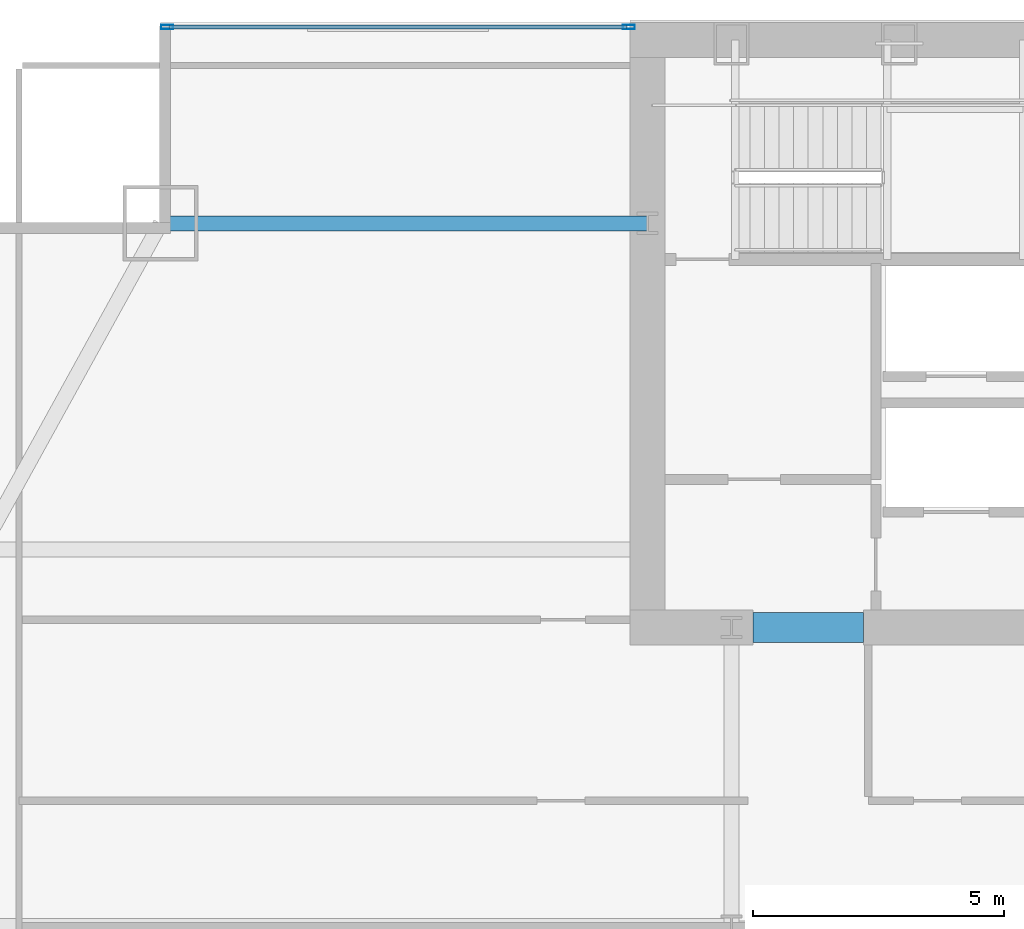
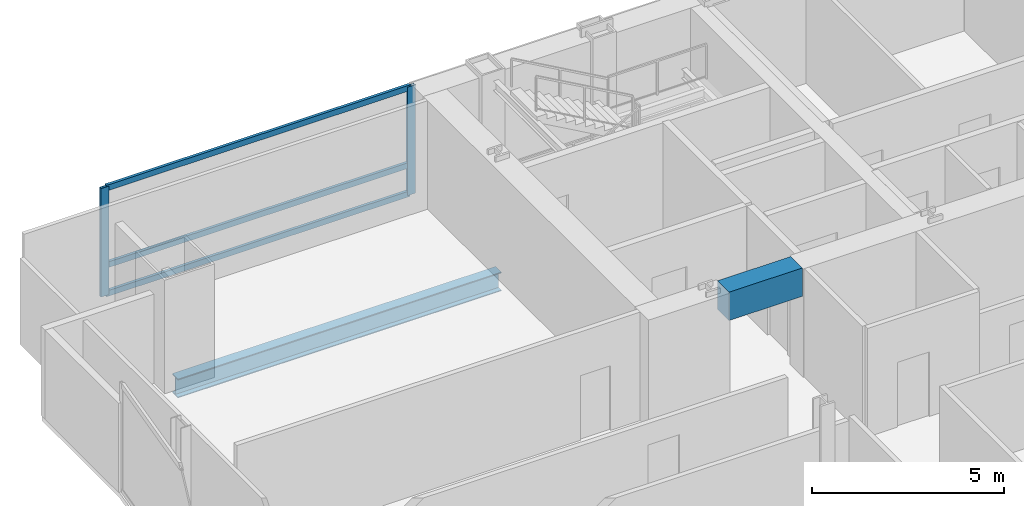
# One storey, part 18 of 32: 5 members, 2 beams, 1 element without a shape of its own.
"""IFC4 building model written with IfcOpenShell, lengths in metres."""

from ifc_helpers import new_model, si_unit, direction, frame, origin, origin_2d, place, context, subcontext, project, spatial, rectangle, hollow_rectangle, i_section, extrude, material, material_profile, profile_set, type_object, element, aggregate, save


model = new_model("IFC4")

# Units and contexts
model_context = context("Model", 3, precision=1e-05, world=origin(), true_north=direction((0.0, 1.0)))
body_context = subcontext(model_context, "Body", "Model", "MODEL_VIEW")
ifc_project = project(units=[si_unit("LENGTHUNIT", "METRE"), si_unit("AREAUNIT", "SQUARE_METRE"), si_unit("VOLUMEUNIT", "CUBIC_METRE"), si_unit("PLANEANGLEUNIT", "RADIAN"), si_unit("MASSUNIT", "GRAM", prefix="KILO")], contexts=[model_context])

# Site, building, storey
site_placement = place(None, origin())
site = spatial("IfcSite", under=ifc_project, at=site_placement, CompositionType="ELEMENT")
building_placement = place(site_placement, origin())
building = spatial("IfcBuilding", under=site, at=building_placement, Name="Khoronbel Lancet Exchange", CompositionType="ELEMENT")
storey_placement = place(building_placement, frame((0.0, 0.0, 125.39990234375)))
storey = spatial("IfcBuildingStorey", under=building, at=storey_placement, Name="L30", CompositionType="ELEMENT", Elevation=125.39990234375)

# Beams
ifc_material_1 = material(Name="Concrete C80/95", Category="concrete")
ifc_material_profile_1 = material_profile(ifc_material_1, rectangle(XDim=0.60009765625, YDim=0.89990234375, at=origin_2d()), Name="RC 600x900")
ifc_profile_set_1 = profile_set([ifc_material_profile_1], Name="Concrete C80/95")
beam_type_1 = type_object("IfcBeamType", Name="BM-BL1", PredefinedType="LINTEL", material=ifc_profile_set_1)
beam_1_placement = place(storey_placement, frame((18.64990234375, 41.64990234375, 2.989990234375), z_axis=(1.0, 0.0, 0.0), x_axis=(0.0, 1.0, 0.0)))
element("IfcBeam", 1, at=beam_1_placement, inside=storey, type_object=beam_type_1, Name="Level L30 rear core coupling lintel L1", PredefinedType="LINTEL", context=body_context, shape_type="SweptSolid", body=[
    extrude(rectangle(XDim=0.60009765625, YDim=0.89990234375, at=origin_2d()), origin(), (0.0, 0.0, 1.0), 2.2001953125),
])
ifc_material_2 = material(Name="Steel S355", Category="steel")
ifc_material_profile_2 = material_profile(ifc_material_2, i_section(OverallWidth=0.300048828125, OverallDepth=0.60009765625, WebThickness=0.015380859375, FlangeThickness=0.030029296875, at=origin_2d()), Name="HEB 600")
ifc_profile_set_2 = profile_set([ifc_material_profile_2], Name="Steel S355")
beam_type_2 = type_object("IfcBeamType", Name="BM-BSP2", PredefinedType="SPANDREL", material=ifc_profile_set_2)
beam_2_placement = place(storey_placement, frame((6.85009765625, 49.699951171875, -0.4599609375), z_axis=(1.0, 0.0, 0.0), x_axis=(0.0, 1.0, 0.0)))
element("IfcBeam", 2, at=beam_2_placement, inside=storey, type_object=beam_type_2, Name="Level L30 north flank tie spandrel SP22", PredefinedType="SPANDREL", context=body_context, shape_type="SweptSolid", body=[
    extrude(i_section(OverallWidth=0.300048828125, OverallDepth=0.60009765625, WebThickness=0.015380859375, FlangeThickness=0.030029296875, at=origin_2d()), origin(), (0.0, 0.0, 1.0), 9.699951171875),
])

# Curtain wall, members
ifc_material_3 = material(Name="Low-E Solar Control Insulating Glass", Category="glass")
curtain_wall_type = type_object("IfcCurtainWallType", Name="CW-2", PredefinedType="NOTDEFINED", material=ifc_material_3)
curtain_wall_placement = place(storey_placement, origin())
curtain_wall = element("IfcCurtainWall", 3, at=curtain_wall_placement, inside=storey, type_object=curtain_wall_type, Name="Unitised curtain wall CW-L30-NWFLK", PredefinedType="NOTDEFINED")
ifc_material_4 = material(Name="Bronze-Anodised Aluminium 6063-T6", Category="aluminium")
ifc_material_profile_3 = material_profile(ifc_material_4, hollow_rectangle(XDim=0.0849609375, YDim=0.239990234375, WallThickness=0.006103515625, at=origin_2d()), Name="ALU MULLION 85x240")
ifc_profile_set_3 = profile_set([ifc_material_profile_3], Name="Bronze-Anodised Aluminium 6063-T6")
member_type_1 = type_object("IfcMemberType", Name="MEM-CWM1", PredefinedType="MULLION", material=ifc_profile_set_3)
member_1_placement = place(storey_placement, frame((16.177490234375, 53.610107421875, 0.0), z_axis=(0.0, 0.0, 1.0), x_axis=(0.0, -1.0, 0.0)))
member_1 = element("IfcMember", 4, at=member_1_placement, type_object=member_type_1, Name="CW2 mullion 1", PredefinedType="MULLION", context=body_context, shape_type="SweptSolid", body=[
    extrude(hollow_rectangle(XDim=0.0849609375, YDim=0.239990234375, WallThickness=0.006103515625, at=origin_2d()), origin(), (0.0, 0.0, 1.0), 3.440185546875),
])
member_2_placement = place(storey_placement, frame((6.982421875, 53.610107421875, 0.0), z_axis=(0.0, 0.0, 1.0), x_axis=(0.0, -1.0, 0.0)))
member_2 = element("IfcMember", 5, at=member_2_placement, type_object=member_type_1, Name="CW2 mullion 2", PredefinedType="MULLION", context=body_context, shape_type="SweptSolid", body=[
    extrude(hollow_rectangle(XDim=0.0849609375, YDim=0.239990234375, WallThickness=0.006103515625, at=origin_2d()), origin(), (0.0, 0.0, 1.0), 3.440185546875),
])
ifc_material_profile_4 = material_profile(ifc_material_4, hollow_rectangle(XDim=0.0849609375, YDim=0.179931640625, WallThickness=0.0048828125, at=origin_2d()), Name="ALU TRANSOM 85x180")
ifc_profile_set_4 = profile_set([ifc_material_profile_4], Name="Bronze-Anodised Aluminium 6063-T6")
member_type_2 = type_object("IfcMemberType", Name="MEM-CWT1", PredefinedType="USERDEFINED", material=ifc_profile_set_4)
member_3_placement = place(storey_placement, frame((16.135009765625, 53.610107421875, 0.04248046875), z_axis=(-1.0, 0.0, 0.0), x_axis=(0.0, -1.0, 0.0)))
member_3 = element("IfcMember", 6, at=member_3_placement, type_object=member_type_2, Name="CW2 transom 1.1", ObjectType="TRANSOM", PredefinedType="USERDEFINED", context=body_context, shape_type="SweptSolid", body=[
    extrude(hollow_rectangle(XDim=0.0849609375, YDim=0.179931640625, WallThickness=0.0048828125, at=origin_2d()), origin(), (0.0, 0.0, 1.0), 9.110107421875),
])
member_4_placement = place(storey_placement, frame((16.135009765625, 53.610107421875, 0.9501953125), z_axis=(-1.0, 0.0, 0.0), x_axis=(0.0, -1.0, 0.0)))
member_4 = element("IfcMember", 7, at=member_4_placement, type_object=member_type_2, Name="CW2 transom 1.2", ObjectType="TRANSOM", PredefinedType="USERDEFINED", context=body_context, shape_type="SweptSolid", body=[
    extrude(hollow_rectangle(XDim=0.0849609375, YDim=0.179931640625, WallThickness=0.0048828125, at=origin_2d()), origin(), (0.0, 0.0, 1.0), 9.110107421875),
])
member_5_placement = place(storey_placement, frame((16.135009765625, 53.610107421875, 3.397705078125), z_axis=(-1.0, 0.0, 0.0), x_axis=(0.0, -1.0, 0.0)))
member_5 = element("IfcMember", 8, at=member_5_placement, type_object=member_type_2, Name="CW2 transom 1.3", ObjectType="TRANSOM", PredefinedType="USERDEFINED", context=body_context, shape_type="SweptSolid", body=[
    extrude(hollow_rectangle(XDim=0.0849609375, YDim=0.179931640625, WallThickness=0.0048828125, at=origin_2d()), origin(), (0.0, 0.0, 1.0), 9.110107421875),
])
aggregate(curtain_wall, [member_1, member_2, member_3, member_4, member_5])

save(model, "model.ifc")
